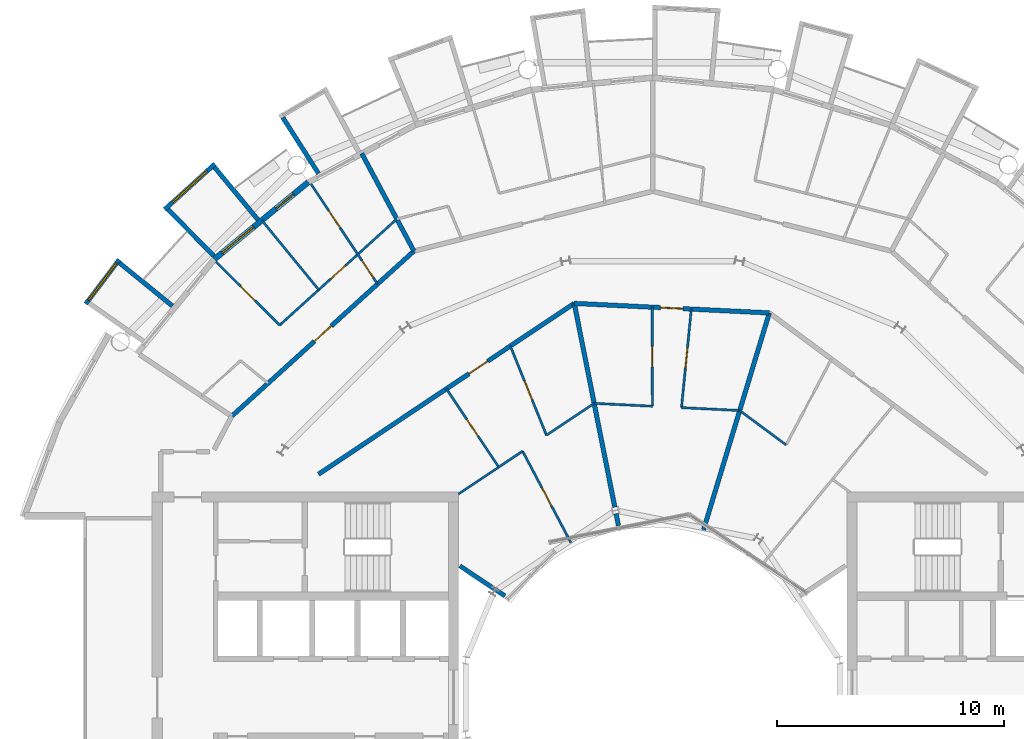
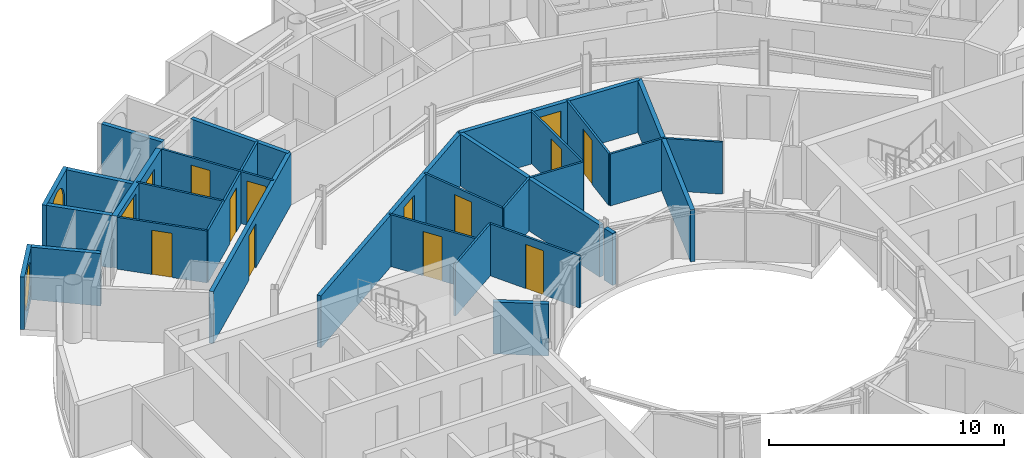
# One storey, part 21 of 29: 29 walls, 13 doors, 3 windows, 16 openings.
"""IFC4 building model written with IfcOpenShell, lengths in metres."""

from ifc_helpers import new_model, si_unit, direction, frame, frame_2d, origin, place, context, subcontext, project, spatial, rectangle, circle, extrude, material, layer, layer_set, type_object, element, fill, save


model = new_model("IFC4")

# Units and contexts
model_context = context("Model", 3, precision=1e-05, world=origin(), true_north=direction((0.0, 1.0)))
body_context = subcontext(model_context, "Body", "Model", "MODEL_VIEW")
ifc_project = project(units=[si_unit("LENGTHUNIT", "METRE"), si_unit("AREAUNIT", "SQUARE_METRE"), si_unit("VOLUMEUNIT", "CUBIC_METRE"), si_unit("PLANEANGLEUNIT", "RADIAN"), si_unit("MASSUNIT", "GRAM", prefix="KILO")], contexts=[model_context])

# Site, building, storey
site_placement = place(None, origin())
site = spatial("IfcSite", under=ifc_project, at=site_placement, CompositionType="ELEMENT")
building_placement = place(site_placement, origin())
building = spatial("IfcBuilding", under=site, at=building_placement, Name="Maasbend Ring Residences", CompositionType="ELEMENT")
storey_placement = place(building_placement, frame((0.0, 0.0, 190.199951171875)))
storey = spatial("IfcBuildingStorey", under=building, at=storey_placement, Name="L54", CompositionType="ELEMENT", Elevation=190.199951171875)

# Wall, opening, door
ifc_material_1 = material(Name="Concrete C30/37", Category="concrete")
ifc_layer_1 = layer(ifc_material_1, 0.199951171875)
ifc_layer_set_1 = layer_set([ifc_layer_1], Name="Concrete C30/37")
wall_type_1 = type_object("IfcWallType", Name="CORRIDOR WALL 200 CONCRETE", PredefinedType="PARTITIONING", material=ifc_layer_set_1)
wall_1_placement = place(storey_placement, frame((-14.718017578125, 9.83203125, 0.0), z_axis=(0.0, 0.0, 1.0), x_axis=(0.831437137577, 0.555618831806, 0.0)))
wall_1 = element("IfcWall", 1, at=wall_1_placement, inside=storey, type_object=wall_type_1, Name="U-L54-w101", PredefinedType="PARTITIONING", context=body_context, shape_type="SweptSolid", body=[
    extrude(rectangle(XDim=13.549072265625, YDim=0.199951171875, at=frame_2d((6.7744140625, 0.0))), origin(), (0.0, 0.0, 1.0), 2.699951171875),
])
opening_1_placement = place(wall_1_placement, frame((7.968017578125, 0.0, 0.0)))
opening_1 = element("IfcOpeningElement", 2, at=opening_1_placement, cuts=wall_1, Name="Opening D-5432", PredefinedType="OPENING", context=body_context, shape_type="SweptSolid", body=[
    extrude(rectangle(XDim=1.0, YDim=2.300048828125, at=frame_2d((0.5, 1.14990234375))), frame((0.0, 0.10986328125, 0.0), z_axis=(0.0, -1.0, 0.0), x_axis=(1.0, 0.0, 0.0)), (0.0, 0.0, 1.0), 0.219970703125),
])
ifc_material_2 = material(Name="Timber, fire-rated, painted", Category="wood")
door_type_1 = type_object("IfcDoorType", Name="FLAT ENTRANCE DOOR 1000 X 2300 FIRE-RATED", OperationType="NOTDEFINED", PredefinedType="DOOR", material=ifc_material_2)
door_1_placement = place(opening_1_placement, origin())
door_1 = element("IfcDoor", 3, at=door_1_placement, inside=storey, type_object=door_type_1, Name="D-5432", OperationType="SINGLE_SWING_RIGHT", OverallHeight=2.300048828125, OverallWidth=1.0, PredefinedType="DOOR", context=body_context, shape_type="SweptSolid", body=[
    extrude(rectangle(XDim=1.0, YDim=2.300048828125, at=frame_2d((0.5, 1.14990234375))), frame((0.0, 0.02490234375, 0.0), z_axis=(0.0, -1.0, 0.0), x_axis=(1.0, 0.0, 0.0)), (0.0, 0.0, 1.0), 0.050048828125),
])
fill(opening_1, door_1)

wall_2_placement = place(storey_placement, frame((-3.4580078125, 17.35888671875, 0.0), z_axis=(0.0, 0.0, 1.0), x_axis=(0.998807562286, -0.048820625966, 0.0)))
wall_2 = element("IfcWall", 4, at=wall_2_placement, inside=storey, type_object=wall_type_1, Name="U-L54-w103", PredefinedType="PARTITIONING", context=body_context, shape_type="SweptSolid", body=[
    extrude(rectangle(XDim=8.601318359375, YDim=0.199951171875, at=frame_2d((4.30078125, 0.0))), origin(), (0.0, 0.0, 1.0), 2.699951171875),
])
opening_2_placement = place(wall_2_placement, frame((3.803955078125, 0.0, 0.0)))
opening_2 = element("IfcOpeningElement", 5, at=opening_2_placement, cuts=wall_2, Name="Opening D-5429", PredefinedType="OPENING", context=body_context, shape_type="SweptSolid", body=[
    extrude(rectangle(XDim=1.0, YDim=2.300048828125, at=frame_2d((0.5, 1.14990234375))), frame((0.0, 0.10986328125, 0.0), z_axis=(0.0, -1.0, 0.0), x_axis=(1.0, 0.0, 0.0)), (0.0, 0.0, 1.0), 0.219970703125),
])
door_2_placement = place(opening_2_placement, origin())
door_2 = element("IfcDoor", 6, at=door_2_placement, inside=storey, type_object=door_type_1, Name="D-5429", OperationType="SINGLE_SWING_RIGHT", OverallHeight=2.300048828125, OverallWidth=1.0, PredefinedType="DOOR", context=body_context, shape_type="SweptSolid", body=[
    extrude(rectangle(XDim=1.0, YDim=2.300048828125, at=frame_2d((0.5, 1.14990234375))), frame((0.0, 0.02490234375, 0.0), z_axis=(0.0, -1.0, 0.0), x_axis=(1.0, 0.0, 0.0)), (0.0, 0.0, 1.0), 0.050048828125),
])
fill(opening_2, door_2)

wall_3_placement = place(storey_placement, frame((-18.54296875, 12.385986328125, 0.0), z_axis=(0.0, 0.0, 1.0), x_axis=(0.740853508928, 0.671666642248, 0.0)))
wall_3 = element("IfcWall", 7, at=wall_3_placement, inside=storey, type_object=wall_type_1, Name="U-L54-w104", PredefinedType="PARTITIONING", context=body_context, shape_type="SweptSolid", body=[
    extrude(rectangle(XDim=10.840087890625, YDim=0.199951171875, at=frame_2d((5.419921875, 0.0))), origin(), (0.0, 0.0, 1.0), 2.699951171875),
])
opening_3_placement = place(wall_3_placement, frame((4.9208984375, 0.0, 0.0)))
opening_3 = element("IfcOpeningElement", 8, at=opening_3_placement, cuts=wall_3, Name="Opening D-5419", PredefinedType="OPENING", context=body_context, shape_type="SweptSolid", body=[
    extrude(rectangle(XDim=1.0, YDim=2.300048828125, at=frame_2d((0.5, 1.14990234375))), frame((0.0, 0.10986328125, 0.0), z_axis=(0.0, -1.0, 0.0), x_axis=(1.0, 0.0, 0.0)), (0.0, 0.0, 1.0), 0.219970703125),
])
door_3_placement = place(opening_3_placement, origin())
door_3 = element("IfcDoor", 9, at=door_3_placement, inside=storey, type_object=door_type_1, Name="D-5419", OperationType="SINGLE_SWING_RIGHT", OverallHeight=2.300048828125, OverallWidth=1.0, PredefinedType="DOOR", context=body_context, shape_type="SweptSolid", body=[
    extrude(rectangle(XDim=1.0, YDim=2.300048828125, at=frame_2d((0.5, 1.14990234375))), frame((0.0, 0.02490234375, 0.0), z_axis=(0.0, -1.0, 0.0), x_axis=(1.0, 0.0, 0.0)), (0.0, 0.0, 1.0), 0.050048828125),
])
fill(opening_3, door_3)

# Wall
ifc_material_3 = material(Name="Pale anodised aluminium panel", Category="aluminium")
ifc_layer_2 = layer(ifc_material_3, 0.199951171875)
ifc_layer_set_2 = layer_set([ifc_layer_2], Name="EW-BOX")
wall_type_2 = type_object("IfcWallType", Name="EW-BOX", PredefinedType="SOLIDWALL", material=ifc_layer_set_2)
wall_4_placement = place(storey_placement, frame((-14.721923828125, 23.0791015625, -0.030029296875), z_axis=(0.0, 0.0, 1.0), x_axis=(-0.537572179146, 0.843217737129, 0.0)))
element("IfcWall", 10, at=wall_4_placement, inside=storey, type_object=wall_type_2, Name="Box side wall N16 right", PredefinedType="SOLIDWALL", context=body_context, shape_type="SweptSolid", body=[
    extrude(rectangle(XDim=2.92431640625, YDim=0.199951171875, at=frame_2d((1.462158203125, 0.0))), origin(), (0.0, 0.0, 1.0), 2.72998046875),
])

# Wall, opening, window
wall_5_placement = place(storey_placement, frame((-19.281982421875, 23.5029296875, -0.030029296875), z_axis=(0.0, 0.0, 1.0), x_axis=(-0.740998365753, -0.671506829416, 0.0)))
wall_5 = element("IfcWall", 11, at=wall_5_placement, inside=storey, type_object=wall_type_2, Name="Box front N18", PredefinedType="SOLIDWALL", context=body_context, shape_type="SweptSolid", body=[
    extrude(rectangle(XDim=2.9931640625, YDim=0.199951171875, at=frame_2d((1.49658203125, 0.0))), origin(), (0.0, 0.0, 1.0), 2.72998046875),
])
opening_4_placement = place(wall_5_placement, frame((0.45654296875, 0.0, 0.330078125)))
opening_4 = element("IfcOpeningElement", 12, at=opening_4_placement, cuts=wall_5, Name="Opening W-RD", PredefinedType="OPENING", context=body_context, shape_type="SweptSolid", body=[
    extrude(circle(Radius=1.0400390625, at=frame_2d((1.0400390625, 1.0400390625))), frame((0.0, 0.10986328125, 0.0), z_axis=(0.0, -1.0, 0.0), x_axis=(1.0, 0.0, 0.0)), (0.0, 0.0, 1.0), 0.219970703125),
])
ifc_material_4 = material(Name="Aluminium and clear glass", Category="aluminium")
window_type_1 = type_object("IfcWindowType", Name="W-RD", PartitioningType="SINGLE_PANEL", PredefinedType="WINDOW", material=ifc_material_4)
window_1_placement = place(opening_4_placement, origin())
window_1 = element("IfcWindow", 13, at=window_1_placement, inside=storey, type_object=window_type_1, Name="Round window N18", OverallHeight=2.080078125, OverallWidth=2.080078125, PartitioningType="SINGLE_PANEL", PredefinedType="WINDOW", context=body_context, shape_type="SweptSolid", body=[
    extrude(circle(Radius=1.0400390625, at=frame_2d((1.0400390625, 1.0400390625))), frame((0.0, 0.030029296875, 0.0), z_axis=(0.0, -1.0, 0.0), x_axis=(1.0, 0.0, 0.0)), (0.0, 0.0, 1.0), 0.06005859375),
])
fill(opening_4, window_1)

# Walls
wall_6_placement = place(storey_placement, frame((-17.384033203125, 21.041015625, -0.030029296875), z_axis=(0.0, 0.0, 1.0), x_axis=(-0.63709551667, 0.770784861449, 0.0)))
element("IfcWall", 14, at=wall_6_placement, inside=storey, type_object=wall_type_2, Name="Box side wall N18 left", PredefinedType="SOLIDWALL", context=body_context, shape_type="SweptSolid", body=[
    extrude(rectangle(XDim=3.005859375, YDim=0.199951171875, at=frame_2d((1.5029296875, 0.0))), origin(), (0.0, 0.0, 1.0), 2.72998046875),
])
wall_7_placement = place(storey_placement, frame((-19.322998046875, 19.449951171875, -0.030029296875), z_axis=(0.0, 0.0, 1.0), x_axis=(-0.704476739375, 0.709727076896, 0.0)))
element("IfcWall", 15, at=wall_7_placement, inside=storey, type_object=wall_type_2, Name="Box side wall N18 right", PredefinedType="SOLIDWALL", context=body_context, shape_type="SweptSolid", body=[
    extrude(rectangle(XDim=2.883056640625, YDim=0.199951171875, at=frame_2d((1.44140625, 0.0))), origin(), (0.0, 0.0, 1.0), 2.72998046875),
])

# Wall, opening, window
wall_8_placement = place(storey_placement, frame((-23.4970703125, 19.2890625, -0.030029296875), z_axis=(0.0, 0.0, 1.0), x_axis=(-0.602806268067, -0.797887588059, 0.0)))
wall_8 = element("IfcWall", 16, at=wall_8_placement, inside=storey, type_object=wall_type_2, Name="Box front N20", PredefinedType="SOLIDWALL", context=body_context, shape_type="SweptSolid", body=[
    extrude(rectangle(XDim=2.446533203125, YDim=0.199951171875, at=frame_2d((1.22314453125, 0.0))), origin(), (0.0, 0.0, 1.0), 2.72998046875),
])
opening_5_placement = place(wall_8_placement, frame((0.182861328125, 0.0, 0.330078125)))
opening_5 = element("IfcOpeningElement", 17, at=opening_5_placement, cuts=wall_8, Name="Opening W-RD", PredefinedType="OPENING", context=body_context, shape_type="SweptSolid", body=[
    extrude(circle(Radius=1.0400390625, at=frame_2d((1.0400390625, 1.0400390625))), frame((0.0, 0.10986328125, 0.0), z_axis=(0.0, -1.0, 0.0), x_axis=(1.0, 0.0, 0.0)), (0.0, 0.0, 1.0), 0.219970703125),
])
window_2_placement = place(opening_5_placement, origin())
window_2 = element("IfcWindow", 18, at=window_2_placement, inside=storey, type_object=window_type_1, Name="Round window N20", OverallHeight=2.080078125, OverallWidth=2.080078125, PartitioningType="SINGLE_PANEL", PredefinedType="WINDOW", context=body_context, shape_type="SweptSolid", body=[
    extrude(circle(Radius=1.0400390625, at=frame_2d((1.0400390625, 1.0400390625))), frame((0.0, 0.030029296875, 0.0), z_axis=(0.0, -1.0, 0.0), x_axis=(1.0, 0.0, 0.0)), (0.0, 0.0, 1.0), 0.06005859375),
])
fill(opening_5, window_2)

# Wall
wall_9_placement = place(storey_placement, frame((-21.155029296875, 17.24609375, -0.030029296875), z_axis=(0.0, 0.0, 1.0), x_axis=(-0.775179004516, 0.631741648902, 0.0)))
element("IfcWall", 19, at=wall_9_placement, inside=storey, type_object=wall_type_2, Name="Box side wall N20 left", PredefinedType="SOLIDWALL", context=body_context, shape_type="SweptSolid", body=[
    extrude(rectangle(XDim=3.005859375, YDim=0.199951171875, at=frame_2d((1.5029296875, 0.0))), origin(), (0.0, 0.0, 1.0), 2.72998046875),
])

# Wall, openings, door, window
ifc_material_5 = material(Name="Aluminium clad insulated panel", Category="aluminium")
ifc_layer_3 = layer(ifc_material_5, 0.25)
ifc_layer_set_3 = layer_set([ifc_layer_3], Name="EW-GL")
wall_type_3 = type_object("IfcWallType", Name="EW-GL", PredefinedType="SOLIDWALL", material=ifc_layer_set_3)
wall_10_placement = place(storey_placement, frame((-15.1669921875, 22.698974609375, 0.0), z_axis=(0.0, 0.0, 1.0), x_axis=(-0.773019449054, -0.634382322723, 0.0)))
wall_10 = element("IfcWall", 20, at=wall_10_placement, inside=storey, type_object=wall_type_3, Name="External wall N09", PredefinedType="SOLIDWALL", context=body_context, shape_type="SweptSolid", body=[
    extrude(rectangle(XDim=5.351806640625, YDim=0.25, at=frame_2d((2.67578125, 0.0))), origin(), (0.0, 0.0, 1.0), 2.699951171875),
])
opening_6_placement = place(wall_10_placement, frame((0.841064453125, 0.0, 0.0)))
opening_6 = element("IfcOpeningElement", 21, at=opening_6_placement, cuts=wall_10, Name="Opening D-LG", PredefinedType="OPENING", context=body_context, shape_type="SweptSolid", body=[
    extrude(rectangle(XDim=1.0, YDim=2.199951171875, at=frame_2d((0.5, 1.10009765625))), frame((0.0, 0.135009765625, 0.0), z_axis=(0.0, -1.0, 0.0), x_axis=(1.0, 0.0, 0.0)), (0.0, 0.0, 1.0), 0.27001953125),
])
opening_7_placement = place(wall_10_placement, frame((3.110595703125, 0.0, 0.300048828125)))
opening_7 = element("IfcOpeningElement", 22, at=opening_7_placement, cuts=wall_10, Name="Opening W-BX", PredefinedType="OPENING", context=body_context, shape_type="SweptSolid", body=[
    extrude(rectangle(XDim=1.800048828125, YDim=2.10009765625, at=frame_2d((0.89990234375, 1.050048828125))), frame((0.0, 0.135009765625, 0.0), z_axis=(0.0, -1.0, 0.0), x_axis=(1.0, 0.0, 0.0)), (0.0, 0.0, 1.0), 0.27001953125),
])
ifc_material_6 = material(Name="Aluminium and clear glass", Category="aluminium")
door_type_2 = type_object("IfcDoorType", Name="D-LG", OperationType="SINGLE_SWING_LEFT", PredefinedType="DOOR", material=ifc_material_6)
door_4_placement = place(opening_6_placement, origin())
door_4 = element("IfcDoor", 23, at=door_4_placement, inside=storey, type_object=door_type_2, Name="Loggia door N17", OperationType="SINGLE_SWING_LEFT", OverallHeight=2.199951171875, OverallWidth=1.0, PredefinedType="DOOR", context=body_context, shape_type="SweptSolid", body=[
    extrude(rectangle(XDim=1.0, YDim=2.199951171875, at=frame_2d((0.5, 1.10009765625))), frame((0.0, 0.02490234375, 0.0), z_axis=(0.0, -1.0, 0.0), x_axis=(1.0, 0.0, 0.0)), (0.0, 0.0, 1.0), 0.050048828125),
])
fill(opening_6, door_4)
ifc_material_7 = material(Name="Aluminium and clear glass", Category="aluminium")
window_type_2 = type_object("IfcWindowType", Name="W-BX", PartitioningType="DOUBLE_PANEL_VERTICAL", PredefinedType="WINDOW", material=ifc_material_7)
window_3_placement = place(opening_7_placement, origin())
window_3 = element("IfcWindow", 24, at=window_3_placement, inside=storey, type_object=window_type_2, Name="Window N18 room to box", OverallHeight=2.10009765625, OverallWidth=1.800048828125, PartitioningType="SINGLE_PANEL", PredefinedType="WINDOW", context=body_context, shape_type="SweptSolid", body=[
    extrude(rectangle(XDim=1.800048828125, YDim=2.10009765625, at=frame_2d((0.89990234375, 1.050048828125))), frame((0.0, 0.030029296875, 0.0), z_axis=(0.0, -1.0, 0.0), x_axis=(1.0, 0.0, 0.0)), (0.0, 0.0, 1.0), 0.06005859375),
])
fill(opening_7, window_3)

# Wall, opening, door
ifc_material_8 = material(Name="Gypsum board on steel studs", Category="steel")
ifc_layer_4 = layer(ifc_material_8, 0.10009765625)
ifc_layer_set_4 = layer_set([ifc_layer_4], Name="PARTITION 100 GYPSUM")
wall_type_4 = type_object("IfcWallType", Name="PARTITION 100 GYPSUM", PredefinedType="PARTITIONING", material=ifc_layer_set_4)
wall_11_placement = place(storey_placement, frame((-19.23388671875, 19.197021484375, 0.0), z_axis=(0.0, 0.0, 1.0), x_axis=(0.707722727509, -0.706490297858, 0.0)))
wall_11 = element("IfcWall", 25, at=wall_11_placement, inside=storey, type_object=wall_type_4, Name="U-L54-w035", PredefinedType="PARTITIONING", context=body_context, shape_type="SweptSolid", body=[
    extrude(rectangle(XDim=3.9619140625, YDim=0.10009765625, at=frame_2d((1.98095703125, 0.0))), origin(), (0.0, 0.0, 1.0), 2.699951171875),
])
opening_8_placement = place(wall_11_placement, frame((1.531005859375, 0.0, 0.0)))
opening_8 = element("IfcOpeningElement", 26, at=opening_8_placement, cuts=wall_11, Name="Opening D-5422", PredefinedType="OPENING", context=body_context, shape_type="SweptSolid", body=[
    extrude(rectangle(XDim=0.89990234375, YDim=2.300048828125, at=frame_2d((0.449951171875, 1.14990234375))), frame((0.0, 0.06005859375, 0.0), z_axis=(0.0, -1.0, 0.0), x_axis=(1.0, 0.0, 0.0)), (0.0, 0.0, 1.0), 0.1201171875),
])
ifc_material_9 = material(Name="Timber, painted", Category="wood")
door_type_3 = type_object("IfcDoorType", Name="INTERNAL DOOR 900 X 2300", OperationType="NOTDEFINED", PredefinedType="DOOR", material=ifc_material_9)
door_5_placement = place(opening_8_placement, origin())
door_5 = element("IfcDoor", 27, at=door_5_placement, inside=storey, type_object=door_type_3, Name="D-5422", OperationType="SINGLE_SWING_LEFT", OverallHeight=2.300048828125, OverallWidth=0.89990234375, PredefinedType="DOOR", context=body_context, shape_type="SweptSolid", body=[
    extrude(rectangle(XDim=0.89990234375, YDim=2.300048828125, at=frame_2d((0.449951171875, 1.14990234375))), frame((0.0, 0.02490234375, 0.0), z_axis=(0.0, -1.0, 0.0), x_axis=(1.0, 0.0, 0.0)), (0.0, 0.0, 1.0), 0.050048828125),
])
fill(opening_8, door_5)

# Wall
wall_12_placement = place(storey_placement, frame((-17.218994140625, 21.02294921875, 0.0), z_axis=(0.0, 0.0, 1.0), x_axis=(0.633590098448, -0.773668913133, 0.0)))
element("IfcWall", 28, at=wall_12_placement, inside=storey, type_object=wall_type_4, Name="U-L54-w038", PredefinedType="PARTITIONING", context=body_context, shape_type="SweptSolid", body=[
    extrude(rectangle(XDim=3.961669921875, YDim=0.10009765625, at=frame_2d((1.98095703125, 0.0))), origin(), (0.0, 0.0, 1.0), 2.699951171875),
])

# Wall, openings, doors
wall_13_placement = place(storey_placement, frame((-15.053955078125, 22.6240234375, 0.0), z_axis=(0.0, 0.0, 1.0), x_axis=(0.553913391217, -0.832574294, 0.0)))
wall_13 = element("IfcWall", 29, at=wall_13_placement, inside=storey, type_object=wall_type_4, Name="U-L54-w040", PredefinedType="PARTITIONING", context=body_context, shape_type="SweptSolid", body=[
    extrude(rectangle(XDim=5.300537109375, YDim=0.10009765625, at=frame_2d((2.650390625, 0.0))), origin(), (0.0, 0.0, 1.0), 2.699951171875),
])
opening_9_placement = place(wall_13_placement, frame((4.06494140625, 0.0, 0.0)))
opening_9 = element("IfcOpeningElement", 30, at=opening_9_placement, cuts=wall_13, Name="Opening D-5421", PredefinedType="OPENING", context=body_context, shape_type="SweptSolid", body=[
    extrude(rectangle(XDim=0.89990234375, YDim=2.300048828125, at=frame_2d((0.449951171875, 1.14990234375))), frame((0.0, 0.06005859375, 0.0), z_axis=(0.0, -1.0, 0.0), x_axis=(1.0, 0.0, 0.0)), (0.0, 0.0, 1.0), 0.1201171875),
])
opening_10_placement = place(wall_13_placement, frame((1.4150390625, 0.0, 0.0)))
opening_10 = element("IfcOpeningElement", 31, at=opening_10_placement, cuts=wall_13, Name="Opening D-5424", PredefinedType="OPENING", context=body_context, shape_type="SweptSolid", body=[
    extrude(rectangle(XDim=0.89990234375, YDim=2.300048828125, at=frame_2d((0.449951171875, 1.14990234375))), frame((0.0, 0.06005859375, 0.0), z_axis=(0.0, -1.0, 0.0), x_axis=(1.0, 0.0, 0.0)), (0.0, 0.0, 1.0), 0.1201171875),
])
door_6_placement = place(opening_9_placement, origin())
door_6 = element("IfcDoor", 32, at=door_6_placement, inside=storey, type_object=door_type_3, Name="D-5421", OperationType="SINGLE_SWING_RIGHT", OverallHeight=2.300048828125, OverallWidth=0.89990234375, PredefinedType="DOOR", context=body_context, shape_type="SweptSolid", body=[
    extrude(rectangle(XDim=0.89990234375, YDim=2.300048828125, at=frame_2d((0.449951171875, 1.14990234375))), frame((0.0, 0.02490234375, 0.0), z_axis=(0.0, -1.0, 0.0), x_axis=(1.0, 0.0, 0.0)), (0.0, 0.0, 1.0), 0.050048828125),
])
fill(opening_9, door_6)
door_7_placement = place(opening_10_placement, origin())
door_7 = element("IfcDoor", 33, at=door_7_placement, inside=storey, type_object=door_type_3, Name="D-5424", OperationType="SINGLE_SWING_LEFT", OverallHeight=2.300048828125, OverallWidth=0.89990234375, PredefinedType="DOOR", context=body_context, shape_type="SweptSolid", body=[
    extrude(rectangle(XDim=0.89990234375, YDim=2.300048828125, at=frame_2d((0.449951171875, 1.14990234375))), frame((0.0, 0.02490234375, 0.0), z_axis=(0.0, -1.0, 0.0), x_axis=(1.0, 0.0, 0.0)), (0.0, 0.0, 1.0), 0.050048828125),
])
fill(opening_10, door_7)

# Wall, opening, door
wall_14_placement = place(storey_placement, frame((-9.0849609375, 13.596923828125, 0.0), z_axis=(0.0, 0.0, 1.0), x_axis=(0.555528237031, -0.831497671591, 0.0)))
wall_14 = element("IfcWall", 34, at=wall_14_placement, inside=storey, type_object=wall_type_4, Name="U-L54-w046", PredefinedType="PARTITIONING", context=body_context, shape_type="SweptSolid", body=[
    extrude(rectangle(XDim=4.149169921875, YDim=0.10009765625, at=frame_2d((2.07470703125, 0.0))), origin(), (0.0, 0.0, 1.0), 2.699951171875),
])
opening_11_placement = place(wall_14_placement, frame((1.625, 0.0, 0.0)))
opening_11 = element("IfcOpeningElement", 35, at=opening_11_placement, cuts=wall_14, Name="Opening D-5434", PredefinedType="OPENING", context=body_context, shape_type="SweptSolid", body=[
    extrude(rectangle(XDim=0.89990234375, YDim=2.300048828125, at=frame_2d((0.449951171875, 1.14990234375))), frame((0.0, 0.06005859375, 0.0), z_axis=(0.0, -1.0, 0.0), x_axis=(1.0, 0.0, 0.0)), (0.0, 0.0, 1.0), 0.1201171875),
])
door_8_placement = place(opening_11_placement, origin())
door_8 = element("IfcDoor", 36, at=door_8_placement, inside=storey, type_object=door_type_3, Name="D-5434", OperationType="SINGLE_SWING_LEFT", OverallHeight=2.300048828125, OverallWidth=0.89990234375, PredefinedType="DOOR", context=body_context, shape_type="SweptSolid", body=[
    extrude(rectangle(XDim=0.89990234375, YDim=2.300048828125, at=frame_2d((0.449951171875, 1.14990234375))), frame((0.0, 0.02490234375, 0.0), z_axis=(0.0, -1.0, 0.0), x_axis=(1.0, 0.0, 0.0)), (0.0, 0.0, 1.0), 0.050048828125),
])
fill(opening_11, door_8)

wall_15_placement = place(storey_placement, frame((-6.26904296875, 15.47802734375, 0.0), z_axis=(0.0, 0.0, 1.0), x_axis=(0.375509828455, -0.926818411952, 0.0)))
wall_15 = element("IfcWall", 37, at=wall_15_placement, inside=storey, type_object=wall_type_4, Name="U-L54-w050", PredefinedType="PARTITIONING", context=body_context, shape_type="SweptSolid", body=[
    extrude(rectangle(XDim=4.237060546875, YDim=0.10009765625, at=frame_2d((2.11865234375, 0.0))), origin(), (0.0, 0.0, 1.0), 2.699951171875),
])
opening_12_placement = place(wall_15_placement, frame((1.6689453125, 0.0, 0.0)))
opening_12 = element("IfcOpeningElement", 38, at=opening_12_placement, cuts=wall_15, Name="Opening D-5433", PredefinedType="OPENING", context=body_context, shape_type="SweptSolid", body=[
    extrude(rectangle(XDim=0.89990234375, YDim=2.300048828125, at=frame_2d((0.449951171875, 1.14990234375))), frame((0.0, 0.06005859375, 0.0), z_axis=(0.0, -1.0, 0.0), x_axis=(1.0, 0.0, 0.0)), (0.0, 0.0, 1.0), 0.1201171875),
])
door_9_placement = place(opening_12_placement, origin())
door_9 = element("IfcDoor", 39, at=door_9_placement, inside=storey, type_object=door_type_3, Name="D-5433", OperationType="SINGLE_SWING_LEFT", OverallHeight=2.300048828125, OverallWidth=0.89990234375, PredefinedType="DOOR", context=body_context, shape_type="SweptSolid", body=[
    extrude(rectangle(XDim=0.89990234375, YDim=2.300048828125, at=frame_2d((0.449951171875, 1.14990234375))), frame((0.0, 0.02490234375, 0.0), z_axis=(0.0, -1.0, 0.0), x_axis=(1.0, 0.0, 0.0)), (0.0, 0.0, 1.0), 0.050048828125),
])
fill(opening_12, door_9)

wall_16_placement = place(storey_placement, frame((-5.72900390625, 10.84912109375, 0.0), z_axis=(0.0, 0.0, 1.0), x_axis=(0.466962677975, -0.884277025246, 0.0)))
wall_16 = element("IfcWall", 40, at=wall_16_placement, inside=storey, type_object=wall_type_4, Name="U-L54-w052", PredefinedType="PARTITIONING", context=body_context, shape_type="SweptSolid", body=[
    extrude(rectangle(XDim=4.548583984375, YDim=0.10009765625, at=frame_2d((2.2744140625, 0.0))), origin(), (0.0, 0.0, 1.0), 2.699951171875),
])
opening_13_placement = place(wall_16_placement, frame((1.823974609375, 0.0, 0.0)))
opening_13 = element("IfcOpeningElement", 41, at=opening_13_placement, cuts=wall_16, Name="Opening D-5435", PredefinedType="OPENING", context=body_context, shape_type="SweptSolid", body=[
    extrude(rectangle(XDim=0.89990234375, YDim=2.300048828125, at=frame_2d((0.449951171875, 1.14990234375))), frame((0.0, 0.06005859375, 0.0), z_axis=(0.0, -1.0, 0.0), x_axis=(1.0, 0.0, 0.0)), (0.0, 0.0, 1.0), 0.1201171875),
])
door_10_placement = place(opening_13_placement, origin())
door_10 = element("IfcDoor", 42, at=door_10_placement, inside=storey, type_object=door_type_3, Name="D-5435", OperationType="SINGLE_SWING_RIGHT", OverallHeight=2.300048828125, OverallWidth=0.89990234375, PredefinedType="DOOR", context=body_context, shape_type="SweptSolid", body=[
    extrude(rectangle(XDim=0.89990234375, YDim=2.300048828125, at=frame_2d((0.449951171875, 1.14990234375))), frame((0.0, 0.02490234375, 0.0), z_axis=(0.0, -1.0, 0.0), x_axis=(1.0, 0.0, 0.0)), (0.0, 0.0, 1.0), 0.050048828125),
])
fill(opening_13, door_10)

wall_17_placement = place(storey_placement, frame((-0.011962890625, 12.8291015625, 0.0), z_axis=(0.0, 0.0, 1.0), x_axis=(-0.001175416181, 0.999999309198, 0.0)))
wall_17 = element("IfcWall", 43, at=wall_17_placement, inside=storey, type_object=wall_type_4, Name="U-L54-w061", PredefinedType="PARTITIONING", context=body_context, shape_type="SweptSolid", body=[
    extrude(rectangle(XDim=4.36181640625, YDim=0.10009765625, at=frame_2d((2.180908203125, 0.0))), origin(), (0.0, 0.0, 1.0), 2.699951171875),
])
opening_14_placement = place(wall_17_placement, frame((1.73095703125, 0.0, 0.0)))
opening_14 = element("IfcOpeningElement", 44, at=opening_14_placement, cuts=wall_17, Name="Opening D-5431", PredefinedType="OPENING", context=body_context, shape_type="SweptSolid", body=[
    extrude(rectangle(XDim=0.89990234375, YDim=2.300048828125, at=frame_2d((0.449951171875, 1.14990234375))), frame((0.0, 0.06005859375, 0.0), z_axis=(0.0, -1.0, 0.0), x_axis=(1.0, 0.0, 0.0)), (0.0, 0.0, 1.0), 0.1201171875),
])
door_11_placement = place(opening_14_placement, origin())
door_11 = element("IfcDoor", 45, at=door_11_placement, inside=storey, type_object=door_type_3, Name="D-5431", OperationType="SINGLE_SWING_RIGHT", OverallHeight=2.300048828125, OverallWidth=0.89990234375, PredefinedType="DOOR", context=body_context, shape_type="SweptSolid", body=[
    extrude(rectangle(XDim=0.89990234375, YDim=2.300048828125, at=frame_2d((0.449951171875, 1.14990234375))), frame((0.0, 0.02490234375, 0.0), z_axis=(0.0, -1.0, 0.0), x_axis=(1.0, 0.0, 0.0)), (0.0, 0.0, 1.0), 0.050048828125),
])
fill(opening_14, door_11)

wall_18_placement = place(storey_placement, frame((1.27001953125, 12.76611328125, 0.0), z_axis=(0.0, 0.0, 1.0), x_axis=(0.099004993851, 0.9950869365, 0.0)))
wall_18 = element("IfcWall", 46, at=wall_18_placement, inside=storey, type_object=wall_type_4, Name="U-L54-w065", PredefinedType="PARTITIONING", context=body_context, shape_type="SweptSolid", body=[
    extrude(rectangle(XDim=4.3623046875, YDim=0.10009765625, at=frame_2d((2.18115234375, 0.0))), origin(), (0.0, 0.0, 1.0), 2.699951171875),
])
opening_15_placement = place(wall_18_placement, frame((1.73095703125, 0.0, 0.0)))
opening_15 = element("IfcOpeningElement", 47, at=opening_15_placement, cuts=wall_18, Name="Opening D-5430", PredefinedType="OPENING", context=body_context, shape_type="SweptSolid", body=[
    extrude(rectangle(XDim=0.89990234375, YDim=2.300048828125, at=frame_2d((0.449951171875, 1.14990234375))), frame((0.0, 0.06005859375, 0.0), z_axis=(0.0, -1.0, 0.0), x_axis=(1.0, 0.0, 0.0)), (0.0, 0.0, 1.0), 0.1201171875),
])
door_12_placement = place(opening_15_placement, origin())
door_12 = element("IfcDoor", 48, at=door_12_placement, inside=storey, type_object=door_type_3, Name="D-5430", OperationType="SINGLE_SWING_LEFT", OverallHeight=2.300048828125, OverallWidth=0.89990234375, PredefinedType="DOOR", context=body_context, shape_type="SweptSolid", body=[
    extrude(rectangle(XDim=0.89990234375, YDim=2.300048828125, at=frame_2d((0.449951171875, 1.14990234375))), frame((0.0, 0.02490234375, 0.0), z_axis=(0.0, -1.0, 0.0), x_axis=(1.0, 0.0, 0.0)), (0.0, 0.0, 1.0), 0.050048828125),
])
fill(opening_15, door_12)

# Walls
wall_19_placement = place(storey_placement, frame((-8.550048828125, 8.962890625, 0.0), z_axis=(0.0, 0.0, 1.0), x_axis=(0.83129689803, 0.555828631257, 0.0)))
element("IfcWall", 49, at=wall_19_placement, inside=storey, type_object=wall_type_4, Name="U-L54-w095", PredefinedType="PARTITIONING", context=body_context, shape_type="SweptSolid", body=[
    extrude(rectangle(XDim=3.3935546875, YDim=0.10009765625, at=frame_2d((1.69677734375, 0.0))), origin(), (0.0, 0.0, 1.0), 2.699951171875),
])
wall_20_placement = place(storey_placement, frame((-4.677978515625, 11.551025390625, 0.0), z_axis=(0.0, 0.0, 1.0), x_axis=(0.831440395268, 0.555613956912, 0.0)))
element("IfcWall", 50, at=wall_20_placement, inside=storey, type_object=wall_type_4, Name="U-L54-w096", PredefinedType="PARTITIONING", context=body_context, shape_type="SweptSolid", body=[
    extrude(rectangle(XDim=2.527099609375, YDim=0.10009765625, at=frame_2d((1.263671875, 0.0))), origin(), (0.0, 0.0, 1.0), 2.699951171875),
])
wall_21_placement = place(storey_placement, frame((3.833984375, 12.639892578125, 0.0), z_axis=(0.0, 0.0, 1.0), x_axis=(0.803259509791, -0.595629213463, 0.0)))
element("IfcWall", 51, at=wall_21_placement, inside=storey, type_object=wall_type_4, Name="U-L54-w097", PredefinedType="PARTITIONING", context=body_context, shape_type="SweptSolid", body=[
    extrude(rectangle(XDim=2.54345703125, YDim=0.10009765625, at=frame_2d((1.271728515625, 0.0))), origin(), (0.0, 0.0, 1.0), 2.699951171875),
])
wall_22_placement = place(storey_placement, frame((-2.576904296875, 12.955078125, 0.0), z_axis=(0.0, 0.0, 1.0), x_axis=(0.998796046378, -0.049055659616, 0.0)))
element("IfcWall", 52, at=wall_22_placement, inside=storey, type_object=wall_type_4, Name="U-L54-w099", PredefinedType="PARTITIONING", context=body_context, shape_type="SweptSolid", body=[
    extrude(rectangle(XDim=2.568115234375, YDim=0.10009765625, at=frame_2d((1.2841796875, 0.0))), origin(), (0.0, 0.0, 1.0), 2.699951171875),
])
wall_23_placement = place(storey_placement, frame((1.27001953125, 12.76611328125, 0.0), z_axis=(0.0, 0.0, 1.0), x_axis=(0.998790464653, -0.049169174464, 0.0)))
element("IfcWall", 53, at=wall_23_placement, inside=storey, type_object=wall_type_4, Name="U-L54-w100", PredefinedType="PARTITIONING", context=body_context, shape_type="SweptSolid", body=[
    extrude(rectangle(XDim=2.567138671875, YDim=0.10009765625, at=frame_2d((1.28369140625, 0.0))), origin(), (0.0, 0.0, 1.0), 2.699951171875),
])

# Wall, opening, door
wall_24_placement = place(storey_placement, frame((-16.429931640625, 16.39794921875, 0.0), z_axis=(0.0, 0.0, 1.0), x_axis=(0.740934061958, 0.671577780923, 0.0)))
wall_24 = element("IfcWall", 54, at=wall_24_placement, inside=storey, type_object=wall_type_4, Name="U-L54-w113", PredefinedType="PARTITIONING", context=body_context, shape_type="SweptSolid", body=[
    extrude(rectangle(XDim=6.962646484375, YDim=0.10009765625, at=frame_2d((3.4814453125, 0.0))), origin(), (0.0, 0.0, 1.0), 2.699951171875),
])
opening_16_placement = place(wall_24_placement, frame((3.033935546875, 0.0, 0.0)))
opening_16 = element("IfcOpeningElement", 55, at=opening_16_placement, cuts=wall_24, Name="Opening D-5423", PredefinedType="OPENING", context=body_context, shape_type="SweptSolid", body=[
    extrude(rectangle(XDim=0.89990234375, YDim=2.300048828125, at=frame_2d((0.449951171875, 1.14990234375))), frame((0.0, 0.06005859375, 0.0), z_axis=(0.0, -1.0, 0.0), x_axis=(1.0, 0.0, 0.0)), (0.0, 0.0, 1.0), 0.1201171875),
])
door_13_placement = place(opening_16_placement, origin())
door_13 = element("IfcDoor", 56, at=door_13_placement, inside=storey, type_object=door_type_3, Name="D-5423", OperationType="SINGLE_SWING_RIGHT", OverallHeight=2.300048828125, OverallWidth=0.89990234375, PredefinedType="DOOR", context=body_context, shape_type="SweptSolid", body=[
    extrude(rectangle(XDim=0.89990234375, YDim=2.300048828125, at=frame_2d((0.449951171875, 1.14990234375))), frame((0.0, 0.02490234375, 0.0), z_axis=(0.0, -1.0, 0.0), x_axis=(1.0, 0.0, 0.0)), (0.0, 0.0, 1.0), 0.050048828125),
])
fill(opening_16, door_13)

# Walls
ifc_material_10 = material(Name="Concrete C30/37", Category="concrete")
ifc_layer_5 = layer(ifc_material_10, 0.199951171875)
ifc_layer_set_5 = layer_set([ifc_layer_5], Name="Concrete C30/37")
wall_type_5 = type_object("IfcWallType", Name="PARTY WALL 200 CONCRETE", PredefinedType="PARTITIONING", material=ifc_layer_set_5)
wall_25_placement = place(storey_placement, frame((-12.81396484375, 23.964111328125, 0.0), z_axis=(0.0, 0.0, 1.0), x_axis=(0.471388689095, -0.881925565903, 0.0)))
element("IfcWall", 57, at=wall_25_placement, inside=storey, type_object=wall_type_5, Name="U-L54-w042", PredefinedType="PARTITIONING", context=body_context, shape_type="SweptSolid", body=[
    extrude(rectangle(XDim=4.874755859375, YDim=0.199951171875, at=frame_2d((2.4375, 0.0))), origin(), (0.0, 0.0, 1.0), 2.699951171875),
])
wall_26_placement = place(storey_placement, frame((-3.452880859375, 17.360107421875, 0.0), z_axis=(0.0, 0.0, 1.0), x_axis=(0.195074954737, -0.98078833702, 0.0)))
element("IfcWall", 58, at=wall_26_placement, inside=storey, type_object=wall_type_5, Name="U-L54-w056", PredefinedType="PARTITIONING", context=body_context, shape_type="SweptSolid", body=[
    extrude(rectangle(XDim=9.15478515625, YDim=0.199951171875, at=frame_2d((4.577392578125, 0.0))), origin(), (0.0, 0.0, 1.0), 2.699951171875),
])
wall_27_placement = place(storey_placement, frame((-1.611083984375, 8.095947265625, 0.0), z_axis=(0.0, 0.0, 1.0), x_axis=(0.196467585126, -0.980510320188, 0.0)))
element("IfcWall", 59, at=wall_27_placement, inside=storey, type_object=wall_type_5, Name="U-L54-w059", PredefinedType="PARTITIONING", context=body_context, shape_type="SweptSolid", body=[
    extrude(rectangle(XDim=0.534423828125, YDim=0.199951171875, at=frame_2d((0.26708984375, 0.0))), origin(), (0.0, 0.0, 1.0), 2.699951171875),
])
wall_28_placement = place(storey_placement, frame((2.240966796875, 7.387939453125, 0.0), z_axis=(0.0, 0.0, 1.0), x_axis=(0.290284403441, 0.956940418793, 0.0)))
element("IfcWall", 60, at=wall_28_placement, inside=storey, type_object=wall_type_5, Name="U-L54-w069", PredefinedType="PARTITIONING", context=body_context, shape_type="SweptSolid", body=[
    extrude(rectangle(XDim=9.979736328125, YDim=0.199951171875, at=frame_2d((4.98974609375, 0.0))), origin(), (0.0, 0.0, 1.0), 2.699951171875),
])
wall_29_placement = place(storey_placement, frame((-6.512939453125, 4.471923828125, 0.0), z_axis=(0.0, 0.0, 1.0), x_axis=(-0.831403409976, 0.555669299026, 0.0)))
element("IfcWall", 61, at=wall_29_placement, inside=storey, type_object=wall_type_5, Name="U-L54-w091", PredefinedType="PARTITIONING", context=body_context, shape_type="SweptSolid", body=[
    extrude(rectangle(XDim=2.382568359375, YDim=0.199951171875, at=frame_2d((1.19140625, 0.0))), origin(), (0.0, 0.0, 1.0), 2.699951171875),
])

save(model, "model.ifc")
